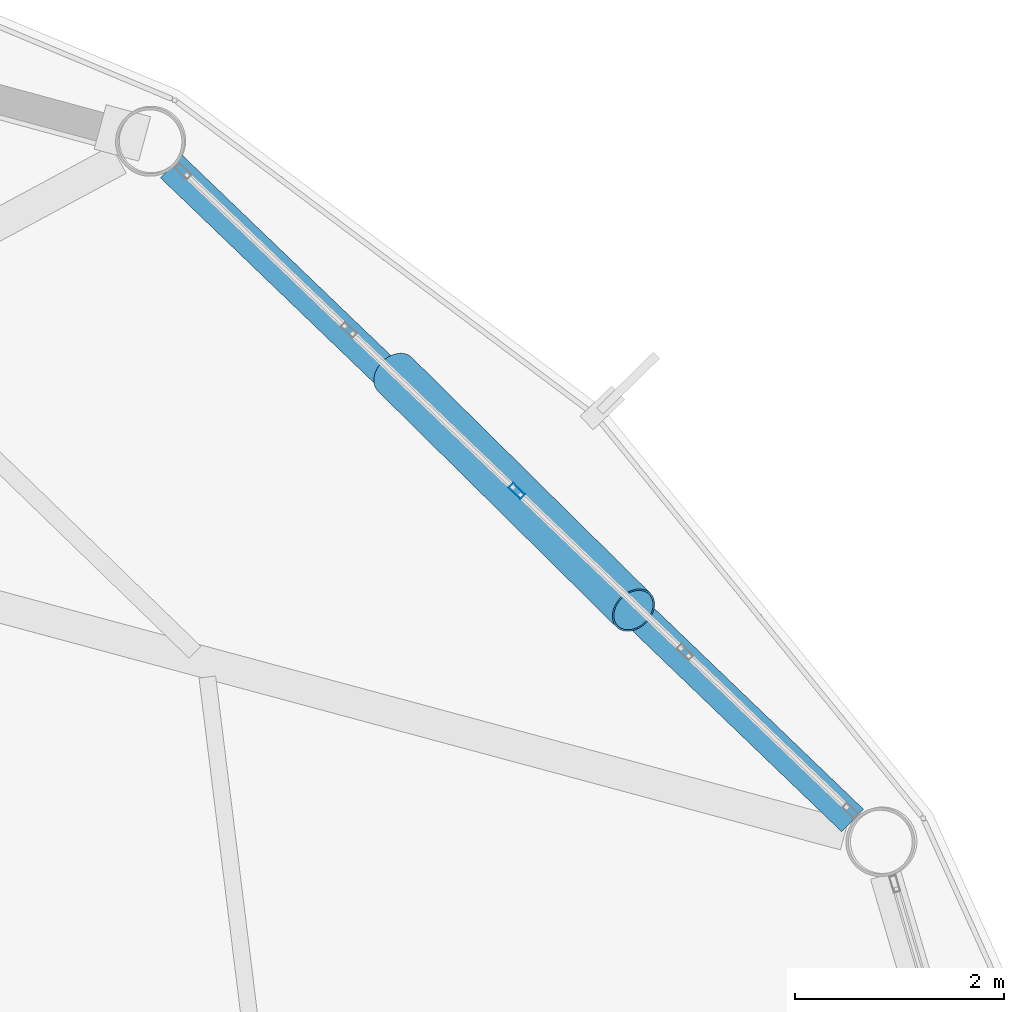
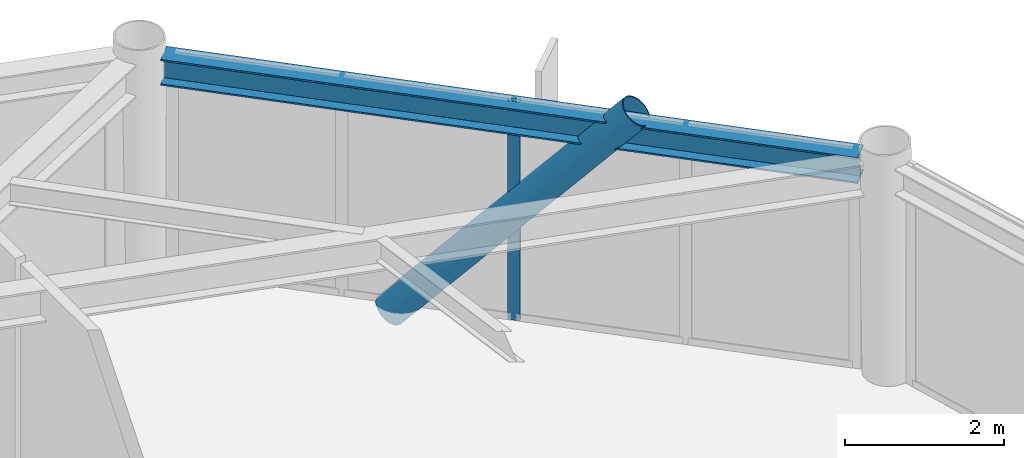
# One storey, part 17 of 28: 2 members, 1 beam, 1 element without a shape of its own.
"""IFC4 building model written with IfcOpenShell, lengths in metres."""

from ifc_helpers import new_model, si_unit, direction, frame, origin, origin_2d, place, context, subcontext, project, spatial, hollow_rectangle, hollow_circle, i_section, extrude, material, layer, layer_set, material_profile, profile_set, type_object, element, aggregate, save


model = new_model("IFC4")

# Units and contexts
model_context = context("Model", 3, precision=1e-05, world=origin(), true_north=direction((0.0, 1.0)))
body_context = subcontext(model_context, "Body", "Model", "MODEL_VIEW")
ifc_project = project(units=[si_unit("LENGTHUNIT", "METRE"), si_unit("AREAUNIT", "SQUARE_METRE"), si_unit("VOLUMEUNIT", "CUBIC_METRE"), si_unit("PLANEANGLEUNIT", "RADIAN"), si_unit("MASSUNIT", "GRAM", prefix="KILO")], contexts=[model_context])

# Site, building, storey
site_placement = place(None, origin())
site = spatial("IfcSite", under=ifc_project, at=site_placement, CompositionType="ELEMENT")
building_placement = place(site_placement, origin())
building = spatial("IfcBuilding", under=site, at=building_placement, Name="Varnakorn Sky Granary", CompositionType="ELEMENT")
storey_placement = place(building_placement, frame((0.0, 0.0, 207.60009765625)))
storey = spatial("IfcBuildingStorey", under=building, at=storey_placement, Name="L52", CompositionType="ELEMENT", Elevation=207.60009765625)

# Beam
ifc_material_1 = material(Name="Steel S355JR", Category="steel")
ifc_material_profile_1 = material_profile(ifc_material_1, i_section(OverallWidth=0.300048828125, OverallDepth=0.39990234375, WebThickness=0.013427734375, FlangeThickness=0.02392578125, at=origin_2d()), Name="HE 400 B")
ifc_profile_set_1 = profile_set([ifc_material_profile_1], Name="Steel S355JR")
beam_type = type_object("IfcBeamType", Name="BM-SPD-Z4", PredefinedType="SPANDREL", material=ifc_profile_set_1)
beam_placement = place(storey_placement, frame((21.110107421875, 9.356201171875, 3.159912109375), z_axis=(-0.72139758679, 0.692521134532, 0.0), x_axis=(-0.692521134532, -0.72139758679, 0.0)))
element("IfcBeam", 1, at=beam_placement, inside=storey, type_object=beam_type, Name="Perimeter Spandrel Ring Beam RB02 L52", PredefinedType="SPANDREL", context=body_context, shape_type="SweptSolid", body=[
    extrude(i_section(OverallWidth=0.300048828125, OverallDepth=0.39990234375, WebThickness=0.013427734375, FlangeThickness=0.02392578125, at=origin_2d()), origin(), (0.0, 0.0, 1.0), 9.029541015625),
])

# Curtain wall, member
ifc_material_2 = material(Name="Anodised Bronze Aluminium Alloy 6063-T6", Category="aluminium")
ifc_layer = layer(ifc_material_2, 0.169921875, Name="Anodised Bronze Aluminium Alloy 6063-T6")
ifc_layer_set = layer_set([ifc_layer], Name="Anodised Bronze Aluminium Alloy 6063-T6")
curtain_wall_type = type_object("IfcCurtainWallType", Name="CW-LAB-1", PredefinedType="USERDEFINED", material=ifc_layer_set)
curtain_wall_placement = place(storey_placement, origin())
curtain_wall = element("IfcCurtainWall", 2, at=curtain_wall_placement, inside=storey, type_object=curtain_wall_type, Name="Unitised Curtain Wall CW5 CW-L52-B02", ObjectType="CURTAIN WALL", PredefinedType="USERDEFINED")
ifc_material_profile_2 = material_profile(ifc_material_2, hollow_rectangle(XDim=0.06494140625, YDim=0.159912109375, WallThickness=0.00341796875, at=origin_2d()), Name="ALU MULL 65x160")
ifc_profile_set_2 = profile_set([ifc_material_profile_2], Name="Anodised Bronze Aluminium Alloy 6063-T6")
member_type_1 = type_object("IfcMemberType", Name="CW-LAB-1-MULL", PredefinedType="MULLION", material=ifc_profile_set_2)
member_1_placement = place(storey_placement, frame((17.89892578125, 12.505859375, 0.0), z_axis=(0.0, 0.0, 1.0), x_axis=(0.691923166337, 0.721971143389, 0.0)))
member_1 = element("IfcMember", 3, at=member_1_placement, type_object=member_type_1, Name="CW5 mullion 3", PredefinedType="MULLION", context=body_context, shape_type="SweptSolid", body=[
    extrude(hollow_rectangle(XDim=0.06494140625, YDim=0.159912109375, WallThickness=0.00341796875, at=origin_2d()), origin(), (0.0, 0.0, 1.0), 3.35986328125),
])
aggregate(curtain_wall, [member_1])

# Member
ifc_material_3 = material(Name="Steel S460M", Category="steel")
ifc_material_profile_3 = material_profile(ifc_material_3, hollow_circle(Radius=0.228515625, WallThickness=0.01611328125, at=origin_2d()), Name="CHS 457x16")
ifc_profile_set_3 = profile_set([ifc_material_profile_3], Name="Steel S460M")
member_type_2 = type_object("IfcMemberType", Name="MB-DIAG-T3", PredefinedType="BRACE", material=ifc_profile_set_3)
member_2_placement = place(storey_placement, frame((16.7333984375, 13.622802734375, -0.130126953125), z_axis=(0.471652416332, -0.466200954329, 0.748465542527), x_axis=(0.702984704357, 0.711204967249, 0.0)))
element("IfcMember", 4, at=member_2_placement, inside=storey, type_object=member_type_2, Name="Perimeter CHS Diagrid Brace DG02 L52", PredefinedType="BRACE", context=body_context, shape_type="SweptSolid", body=[
    extrude(hollow_circle(Radius=0.228515625, WallThickness=0.01611328125, at=origin_2d()), origin(), (0.0, 0.0, 1.0), 4.836669921875),
])

save(model, "model.ifc")
